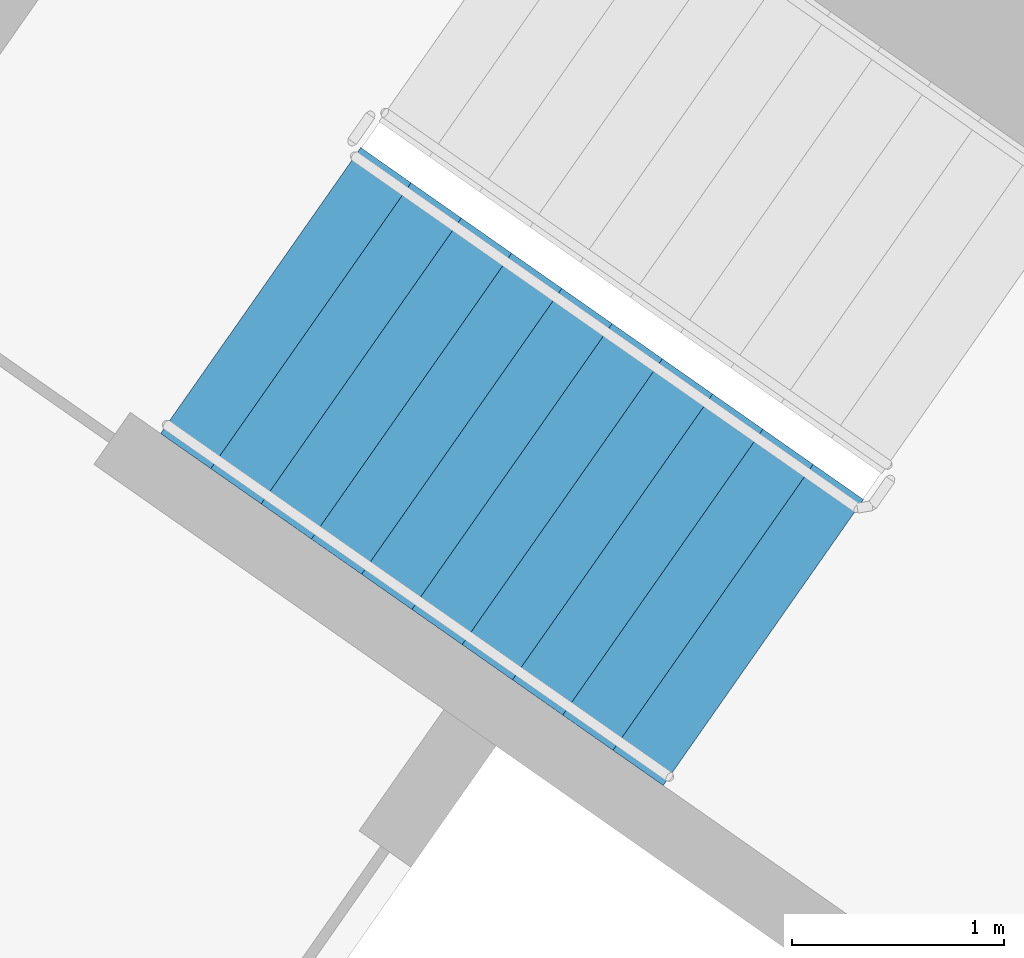
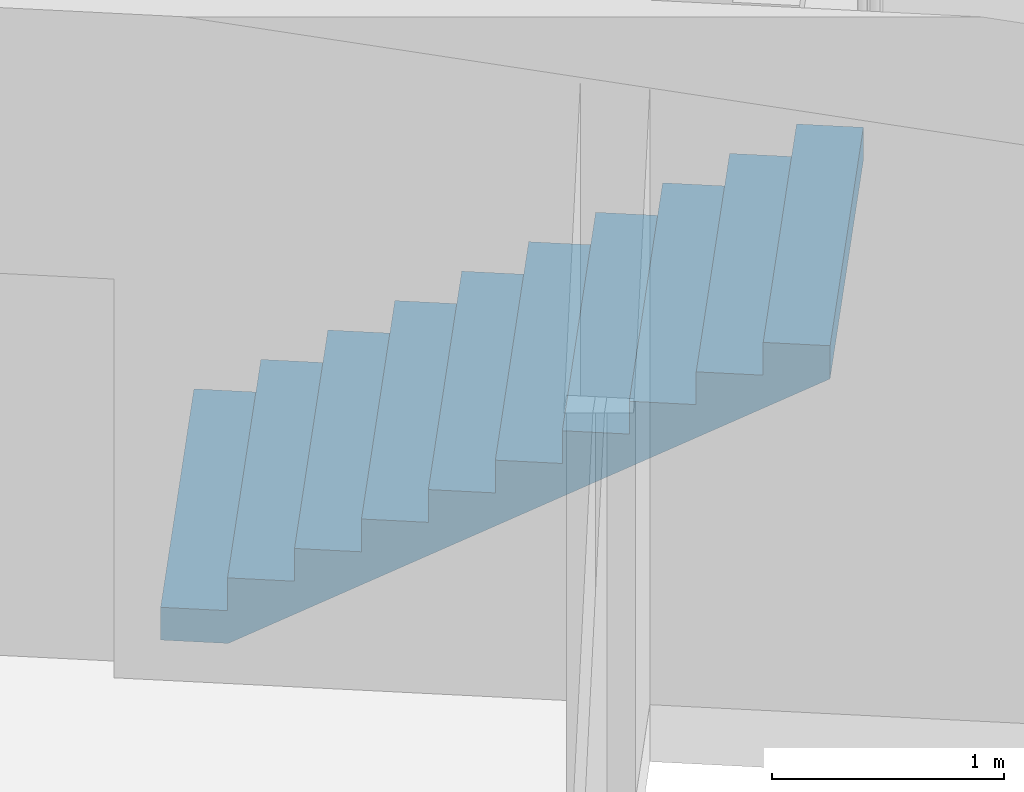
# One storey, part 12 of 28: 1 stair flight, 1 element without a shape of its own.
"""IFC4 building model written with IfcOpenShell, lengths in metres."""

from ifc_helpers import new_model, si_unit, direction, frame, origin, place, context, subcontext, project, spatial, faceted_brep, material, type_object, element, aggregate, save


model = new_model("IFC4")

# Units and contexts
model_context = context("Model", 3, precision=1e-05, world=origin(), true_north=direction((0.0, 1.0)))
body_context = subcontext(model_context, "Body", "Model", "MODEL_VIEW")
ifc_project = project(units=[si_unit("LENGTHUNIT", "METRE"), si_unit("AREAUNIT", "SQUARE_METRE"), si_unit("VOLUMEUNIT", "CUBIC_METRE"), si_unit("PLANEANGLEUNIT", "RADIAN"), si_unit("MASSUNIT", "GRAM", prefix="KILO")], contexts=[model_context])

# Site, building, storey
site_placement = place(None, origin())
site = spatial("IfcSite", under=ifc_project, at=site_placement, CompositionType="ELEMENT")
building_placement = place(site_placement, origin())
building = spatial("IfcBuilding", under=site, at=building_placement, Name="Qamariyya Broadcast Tower", CompositionType="ELEMENT")
storey_placement = place(building_placement, frame((0.0, 0.0, 269.5)))
storey = spatial("IfcBuildingStorey", under=building, at=storey_placement, Name="L65", CompositionType="ELEMENT", Elevation=269.5)

# Stair, stair flight
ifc_material = material(Name="Concrete C50/60", Category="concrete")
stair_type = type_object("IfcStairType", Name="Exit stair 22 risers of 173 mm", PredefinedType="HALF_TURN_STAIR", material=ifc_material)
stair_placement = place(storey_placement, origin())
stair = element("IfcStair", 1, at=stair_placement, inside=storey, type_object=stair_type, Name="L65 Stair W2", PredefinedType="HALF_TURN_STAIR")
stair_flight_type = type_object("IfcStairFlightType", Name="Exit stair flight 11 risers of 173 mm", PredefinedType="STRAIGHT", material=ifc_material)
stair_flight_placement = place(storey_placement, frame((-41.59130859375, -49.15966796875, 0.0), z_axis=(0.0, 0.0, 1.0), x_axis=(0.819152044289, -0.573576436351, 0.0)))
stair_flight = element("IfcStairFlight", 2, at=stair_flight_placement, type_object=stair_flight_type, Name="ST-W2 flight 1", NumberOfRisers=11, NumberOfTreads=10, PredefinedType="STRAIGHT", RiserHeight=0.172727273, TreadLength=0.29, context=body_context, shape_type="Brep", body=[
    faceted_brep([(0.0, 0.824951171875, 0.0), (0.0, 0.824951171875, 0.172607421875), (0.2900390625, 0.824951171875, 0.172607421875), (0.2900390625, 0.824951171875, 0.345458984375), (0.580078125, 0.824951171875, 0.345458984375), (0.580078125, 0.824951171875, 0.51806640625), (0.8701171875, 0.824951171875, 0.51806640625), (0.8701171875, 0.824951171875, 0.69091796875), (1.159912109375, 0.824951171875, 0.69091796875), (1.159912109375, 0.824951171875, 0.863525390625), (1.449951171875, 0.824951171875, 0.863525390625), (1.449951171875, 0.824951171875, 1.036376953125), (1.739990234375, 0.824951171875, 1.036376953125), (1.739990234375, 0.824951171875, 1.208984375), (2.030029296875, 0.824951171875, 1.208984375), (2.030029296875, 0.824951171875, 1.3818359375), (2.320068359375, 0.824951171875, 1.3818359375), (2.320068359375, 0.824951171875, 1.554443359375), (2.610107421875, 0.824951171875, 1.554443359375), (2.610107421875, 0.824951171875, 1.727294921875), (2.89990234375, 0.824951171875, 1.727294921875), (2.89990234375, 0.824951171875, 1.552734375), (0.29296875, 0.824951171875, 0.0), (0.29296875, -0.824951171875, 0.0), (2.89990234375, -0.824951171875, 1.552734375), (2.89990234375, -0.824951171875, 1.727294921875), (2.610107421875, -0.824951171875, 1.727294921875), (2.610107421875, -0.824951171875, 1.554443359375), (2.320068359375, -0.824951171875, 1.554443359375), (2.320068359375, -0.824951171875, 1.3818359375), (2.030029296875, -0.824951171875, 1.3818359375), (2.030029296875, -0.824951171875, 1.208984375), (1.739990234375, -0.824951171875, 1.208984375), (1.739990234375, -0.824951171875, 1.036376953125), (1.449951171875, -0.824951171875, 1.036376953125), (1.449951171875, -0.824951171875, 0.863525390625), (1.159912109375, -0.824951171875, 0.863525390625), (1.159912109375, -0.824951171875, 0.69091796875), (0.8701171875, -0.824951171875, 0.69091796875), (0.8701171875, -0.824951171875, 0.51806640625), (0.580078125, -0.824951171875, 0.51806640625), (0.580078125, -0.824951171875, 0.345458984375), (0.2900390625, -0.824951171875, 0.345458984375), (0.2900390625, -0.824951171875, 0.172607421875), (0.0, -0.824951171875, 0.172607421875), (0.0, -0.824951171875, 0.0), (0.0, 0.10009765625, 0.0), (0.0, 0.086669921875, 0.0), (0.0, 0.0732421875, 0.0), (0.0, 0.06005859375, 0.0), (0.0, 0.046630859375, 0.0), (0.0, 0.033447265625, 0.0), (0.0, 0.02001953125, 0.0), (0.0, 0.006591796875, 0.0), (0.0, -0.006591796875, 0.0), (0.0, -0.02001953125, 0.0), (0.0, -0.033447265625, 0.0), (0.0, -0.046630859375, 0.0), (0.0, -0.06005859375, 0.0), (0.0, -0.0732421875, 0.0), (0.0, -0.086669921875, 0.0), (0.0, -0.10009765625, 0.0), (0.0, -0.10009765625, 0.172607421875), (0.0, -0.086669921875, 0.172607421875), (0.0, -0.0732421875, 0.172607421875), (0.0, -0.06005859375, 0.172607421875), (0.0, -0.046630859375, 0.172607421875), (0.0, -0.033447265625, 0.172607421875), (0.0, -0.02001953125, 0.172607421875), (0.0, -0.006591796875, 0.172607421875), (0.0, 0.006591796875, 0.172607421875), (0.0, 0.02001953125, 0.172607421875), (0.0, 0.033447265625, 0.172607421875), (0.0, 0.046630859375, 0.172607421875), (0.0, 0.06005859375, 0.172607421875), (0.0, 0.0732421875, 0.172607421875), (0.0, 0.086669921875, 0.172607421875), (0.0, 0.10009765625, 0.172607421875), (0.2900390625, -0.10009765625, 0.172607421875), (0.2900390625, -0.086669921875, 0.172607421875), (0.2900390625, -0.0732421875, 0.172607421875), (0.2900390625, -0.06005859375, 0.172607421875), (0.2900390625, -0.046630859375, 0.172607421875), (0.2900390625, -0.033447265625, 0.172607421875), (0.2900390625, -0.02001953125, 0.172607421875), (0.2900390625, -0.006591796875, 0.172607421875), (0.2900390625, 0.006591796875, 0.172607421875), (0.2900390625, 0.02001953125, 0.172607421875), (0.2900390625, 0.033447265625, 0.172607421875), (0.2900390625, 0.046630859375, 0.172607421875), (0.2900390625, 0.06005859375, 0.172607421875), (0.2900390625, 0.0732421875, 0.172607421875), (0.2900390625, 0.086669921875, 0.172607421875), (0.2900390625, 0.10009765625, 0.172607421875), (0.2900390625, -0.10009765625, 0.345458984375), (0.2900390625, -0.086669921875, 0.345458984375), (0.2900390625, -0.0732421875, 0.345458984375), (0.2900390625, -0.06005859375, 0.345458984375), (0.2900390625, -0.046630859375, 0.345458984375), (0.2900390625, -0.033447265625, 0.345458984375), (0.2900390625, -0.02001953125, 0.345458984375), (0.2900390625, -0.006591796875, 0.345458984375), (0.2900390625, 0.006591796875, 0.345458984375), (0.2900390625, 0.02001953125, 0.345458984375), (0.2900390625, 0.033447265625, 0.345458984375), (0.2900390625, 0.046630859375, 0.345458984375), (0.2900390625, 0.06005859375, 0.345458984375), (0.2900390625, 0.0732421875, 0.345458984375), (0.2900390625, 0.086669921875, 0.345458984375), (0.2900390625, 0.10009765625, 0.345458984375), (0.580078125, -0.10009765625, 0.345458984375), (0.580078125, -0.086669921875, 0.345458984375), (0.580078125, -0.0732421875, 0.345458984375), (0.580078125, -0.06005859375, 0.345458984375), (0.580078125, -0.046630859375, 0.345458984375), (0.580078125, -0.033447265625, 0.345458984375), (0.580078125, -0.02001953125, 0.345458984375), (0.580078125, -0.006591796875, 0.345458984375), (0.580078125, 0.006591796875, 0.345458984375), (0.580078125, 0.02001953125, 0.345458984375), (0.580078125, 0.033447265625, 0.345458984375), (0.580078125, 0.046630859375, 0.345458984375), (0.580078125, 0.06005859375, 0.345458984375), (0.580078125, 0.0732421875, 0.345458984375), (0.580078125, 0.086669921875, 0.345458984375), (0.580078125, 0.10009765625, 0.345458984375), (0.580078125, -0.10009765625, 0.51806640625), (0.580078125, -0.086669921875, 0.51806640625), (0.580078125, -0.0732421875, 0.51806640625), (0.580078125, -0.06005859375, 0.51806640625), (0.580078125, -0.046630859375, 0.51806640625), (0.580078125, -0.033447265625, 0.51806640625), (0.580078125, -0.02001953125, 0.51806640625), (0.580078125, -0.006591796875, 0.51806640625), (0.580078125, 0.006591796875, 0.51806640625), (0.580078125, 0.02001953125, 0.51806640625), (0.580078125, 0.033447265625, 0.51806640625), (0.580078125, 0.046630859375, 0.51806640625), (0.580078125, 0.06005859375, 0.51806640625), (0.580078125, 0.0732421875, 0.51806640625), (0.580078125, 0.086669921875, 0.51806640625), (0.580078125, 0.10009765625, 0.51806640625), (0.8701171875, -0.10009765625, 0.51806640625), (0.8701171875, -0.086669921875, 0.51806640625), (0.8701171875, -0.0732421875, 0.51806640625), (0.8701171875, -0.06005859375, 0.51806640625), (0.8701171875, -0.046630859375, 0.51806640625), (0.8701171875, -0.033447265625, 0.51806640625), (0.8701171875, -0.02001953125, 0.51806640625), (0.8701171875, -0.006591796875, 0.51806640625), (0.8701171875, 0.006591796875, 0.51806640625), (0.8701171875, 0.02001953125, 0.51806640625), (0.8701171875, 0.033447265625, 0.51806640625), (0.8701171875, 0.046630859375, 0.51806640625), (0.8701171875, 0.06005859375, 0.51806640625), (0.8701171875, 0.0732421875, 0.51806640625), (0.8701171875, 0.086669921875, 0.51806640625), (0.8701171875, 0.10009765625, 0.51806640625), (0.8701171875, -0.10009765625, 0.69091796875), (0.8701171875, -0.086669921875, 0.69091796875), (0.8701171875, -0.0732421875, 0.69091796875), (0.8701171875, -0.06005859375, 0.69091796875), (0.8701171875, -0.046630859375, 0.69091796875), (0.8701171875, -0.033447265625, 0.69091796875), (0.8701171875, -0.02001953125, 0.69091796875), (0.8701171875, -0.006591796875, 0.69091796875), (0.8701171875, 0.006591796875, 0.69091796875), (0.8701171875, 0.02001953125, 0.69091796875), (0.8701171875, 0.033447265625, 0.69091796875), (0.8701171875, 0.046630859375, 0.69091796875), (0.8701171875, 0.06005859375, 0.69091796875), (0.8701171875, 0.0732421875, 0.69091796875), (0.8701171875, 0.086669921875, 0.69091796875), (0.8701171875, 0.10009765625, 0.69091796875), (1.159912109375, -0.10009765625, 0.69091796875), (1.159912109375, -0.086669921875, 0.69091796875), (1.159912109375, -0.0732421875, 0.69091796875), (1.159912109375, -0.06005859375, 0.69091796875), (1.159912109375, -0.046630859375, 0.69091796875), (1.159912109375, -0.033447265625, 0.69091796875), (1.159912109375, -0.02001953125, 0.69091796875), (1.159912109375, -0.006591796875, 0.69091796875), (1.159912109375, 0.006591796875, 0.69091796875), (1.159912109375, 0.02001953125, 0.69091796875), (1.159912109375, 0.033447265625, 0.69091796875), (1.159912109375, 0.046630859375, 0.69091796875), (1.159912109375, 0.06005859375, 0.69091796875), (1.159912109375, 0.0732421875, 0.69091796875), (1.159912109375, 0.086669921875, 0.69091796875), (1.159912109375, 0.10009765625, 0.69091796875), (1.159912109375, -0.10009765625, 0.863525390625), (1.159912109375, -0.086669921875, 0.863525390625), (1.159912109375, -0.0732421875, 0.863525390625), (1.159912109375, -0.06005859375, 0.863525390625), (1.159912109375, -0.046630859375, 0.863525390625), (1.159912109375, -0.033447265625, 0.863525390625), (1.159912109375, -0.02001953125, 0.863525390625), (1.159912109375, -0.006591796875, 0.863525390625), (1.159912109375, 0.006591796875, 0.863525390625), (1.159912109375, 0.02001953125, 0.863525390625), (1.159912109375, 0.033447265625, 0.863525390625), (1.159912109375, 0.046630859375, 0.863525390625), (1.159912109375, 0.06005859375, 0.863525390625), (1.159912109375, 0.0732421875, 0.863525390625), (1.159912109375, 0.086669921875, 0.863525390625), (1.159912109375, 0.10009765625, 0.863525390625), (1.449951171875, -0.10009765625, 0.863525390625), (1.449951171875, -0.086669921875, 0.863525390625), (1.449951171875, -0.0732421875, 0.863525390625), (1.449951171875, -0.06005859375, 0.863525390625), (1.449951171875, -0.046630859375, 0.863525390625), (1.449951171875, -0.033447265625, 0.863525390625), (1.449951171875, -0.02001953125, 0.863525390625), (1.449951171875, -0.006591796875, 0.863525390625), (1.449951171875, 0.006591796875, 0.863525390625), (1.449951171875, 0.02001953125, 0.863525390625), (1.449951171875, 0.033447265625, 0.863525390625), (1.449951171875, 0.046630859375, 0.863525390625), (1.449951171875, 0.06005859375, 0.863525390625), (1.449951171875, 0.0732421875, 0.863525390625), (1.449951171875, 0.086669921875, 0.863525390625), (1.449951171875, 0.10009765625, 0.863525390625), (1.449951171875, -0.10009765625, 1.036376953125), (1.449951171875, -0.086669921875, 1.036376953125), (1.449951171875, -0.0732421875, 1.036376953125), (1.449951171875, -0.06005859375, 1.036376953125), (1.449951171875, -0.046630859375, 1.036376953125), (1.449951171875, -0.033447265625, 1.036376953125), (1.449951171875, -0.02001953125, 1.036376953125), (1.449951171875, -0.006591796875, 1.036376953125), (1.449951171875, 0.006591796875, 1.036376953125), (1.449951171875, 0.02001953125, 1.036376953125), (1.449951171875, 0.033447265625, 1.036376953125), (1.449951171875, 0.046630859375, 1.036376953125), (1.449951171875, 0.06005859375, 1.036376953125), (1.449951171875, 0.0732421875, 1.036376953125), (1.449951171875, 0.086669921875, 1.036376953125), (1.449951171875, 0.10009765625, 1.036376953125), (1.739990234375, -0.10009765625, 1.036376953125), (1.739990234375, -0.086669921875, 1.036376953125), (1.739990234375, -0.0732421875, 1.036376953125), (1.739990234375, -0.06005859375, 1.036376953125), (1.739990234375, -0.046630859375, 1.036376953125), (1.739990234375, -0.033447265625, 1.036376953125), (1.739990234375, -0.02001953125, 1.036376953125), (1.739990234375, -0.006591796875, 1.036376953125), (1.739990234375, 0.006591796875, 1.036376953125), (1.739990234375, 0.02001953125, 1.036376953125), (1.739990234375, 0.033447265625, 1.036376953125), (1.739990234375, 0.046630859375, 1.036376953125), (1.739990234375, 0.06005859375, 1.036376953125), (1.739990234375, 0.0732421875, 1.036376953125), (1.739990234375, 0.086669921875, 1.036376953125), (1.739990234375, 0.10009765625, 1.036376953125), (1.739990234375, -0.10009765625, 1.208984375), (1.739990234375, -0.086669921875, 1.208984375), (1.739990234375, -0.0732421875, 1.208984375), (1.739990234375, -0.06005859375, 1.208984375), (1.739990234375, -0.046630859375, 1.208984375), (1.739990234375, -0.033447265625, 1.208984375), (1.739990234375, -0.02001953125, 1.208984375), (1.739990234375, -0.006591796875, 1.208984375), (1.739990234375, 0.006591796875, 1.208984375), (1.739990234375, 0.02001953125, 1.208984375), (1.739990234375, 0.033447265625, 1.208984375), (1.739990234375, 0.046630859375, 1.208984375), (1.739990234375, 0.06005859375, 1.208984375), (1.739990234375, 0.0732421875, 1.208984375), (1.739990234375, 0.086669921875, 1.208984375), (1.739990234375, 0.10009765625, 1.208984375), (2.030029296875, -0.10009765625, 1.208984375), (2.030029296875, -0.086669921875, 1.208984375), (2.030029296875, -0.0732421875, 1.208984375), (2.030029296875, -0.06005859375, 1.208984375), (2.030029296875, -0.046630859375, 1.208984375), (2.030029296875, -0.033447265625, 1.208984375), (2.030029296875, -0.02001953125, 1.208984375), (2.030029296875, -0.006591796875, 1.208984375), (2.030029296875, 0.006591796875, 1.208984375), (2.030029296875, 0.02001953125, 1.208984375), (2.030029296875, 0.033447265625, 1.208984375), (2.030029296875, 0.046630859375, 1.208984375), (2.030029296875, 0.06005859375, 1.208984375), (2.030029296875, 0.0732421875, 1.208984375), (2.030029296875, 0.086669921875, 1.208984375), (2.030029296875, 0.10009765625, 1.208984375), (2.030029296875, -0.10009765625, 1.3818359375), (2.030029296875, -0.086669921875, 1.3818359375), (2.030029296875, -0.0732421875, 1.3818359375), (2.030029296875, -0.06005859375, 1.3818359375), (2.030029296875, -0.046630859375, 1.3818359375), (2.030029296875, -0.033447265625, 1.3818359375), (2.030029296875, -0.02001953125, 1.3818359375), (2.030029296875, -0.006591796875, 1.3818359375), (2.030029296875, 0.006591796875, 1.3818359375), (2.030029296875, 0.02001953125, 1.3818359375), (2.030029296875, 0.033447265625, 1.3818359375), (2.030029296875, 0.046630859375, 1.3818359375), (2.030029296875, 0.06005859375, 1.3818359375), (2.030029296875, 0.0732421875, 1.3818359375), (2.030029296875, 0.086669921875, 1.3818359375), (2.030029296875, 0.10009765625, 1.3818359375), (2.320068359375, -0.10009765625, 1.3818359375), (2.320068359375, -0.086669921875, 1.3818359375), (2.320068359375, -0.0732421875, 1.3818359375), (2.320068359375, -0.06005859375, 1.3818359375), (2.320068359375, -0.046630859375, 1.3818359375), (2.320068359375, -0.033447265625, 1.3818359375), (2.320068359375, -0.02001953125, 1.3818359375), (2.320068359375, -0.006591796875, 1.3818359375), (2.320068359375, 0.006591796875, 1.3818359375), (2.320068359375, 0.02001953125, 1.3818359375), (2.320068359375, 0.033447265625, 1.3818359375), (2.320068359375, 0.046630859375, 1.3818359375), (2.320068359375, 0.06005859375, 1.3818359375), (2.320068359375, 0.0732421875, 1.3818359375), (2.320068359375, 0.086669921875, 1.3818359375), (2.320068359375, 0.10009765625, 1.3818359375), (2.320068359375, -0.10009765625, 1.554443359375), (2.320068359375, -0.086669921875, 1.554443359375), (2.320068359375, -0.0732421875, 1.554443359375), (2.320068359375, -0.06005859375, 1.554443359375), (2.320068359375, -0.046630859375, 1.554443359375), (2.320068359375, -0.033447265625, 1.554443359375), (2.320068359375, -0.02001953125, 1.554443359375), (2.320068359375, -0.006591796875, 1.554443359375), (2.320068359375, 0.006591796875, 1.554443359375), (2.320068359375, 0.02001953125, 1.554443359375), (2.320068359375, 0.033447265625, 1.554443359375), (2.320068359375, 0.046630859375, 1.554443359375), (2.320068359375, 0.06005859375, 1.554443359375), (2.320068359375, 0.0732421875, 1.554443359375), (2.320068359375, 0.086669921875, 1.554443359375), (2.320068359375, 0.10009765625, 1.554443359375), (2.610107421875, -0.10009765625, 1.554443359375), (2.610107421875, -0.086669921875, 1.554443359375), (2.610107421875, -0.0732421875, 1.554443359375), (2.610107421875, -0.06005859375, 1.554443359375), (2.610107421875, -0.046630859375, 1.554443359375), (2.610107421875, -0.033447265625, 1.554443359375), (2.610107421875, -0.02001953125, 1.554443359375), (2.610107421875, -0.006591796875, 1.554443359375), (2.610107421875, 0.006591796875, 1.554443359375), (2.610107421875, 0.02001953125, 1.554443359375), (2.610107421875, 0.033447265625, 1.554443359375), (2.610107421875, 0.046630859375, 1.554443359375), (2.610107421875, 0.06005859375, 1.554443359375), (2.610107421875, 0.0732421875, 1.554443359375), (2.610107421875, 0.086669921875, 1.554443359375), (2.610107421875, 0.10009765625, 1.554443359375), (2.610107421875, -0.10009765625, 1.727294921875), (2.610107421875, -0.086669921875, 1.727294921875), (2.610107421875, -0.0732421875, 1.727294921875), (2.610107421875, -0.06005859375, 1.727294921875), (2.610107421875, -0.046630859375, 1.727294921875), (2.610107421875, -0.033447265625, 1.727294921875), (2.610107421875, -0.02001953125, 1.727294921875), (2.610107421875, -0.006591796875, 1.727294921875), (2.610107421875, 0.006591796875, 1.727294921875), (2.610107421875, 0.02001953125, 1.727294921875), (2.610107421875, 0.033447265625, 1.727294921875), (2.610107421875, 0.046630859375, 1.727294921875), (2.610107421875, 0.06005859375, 1.727294921875), (2.610107421875, 0.0732421875, 1.727294921875), (2.610107421875, 0.086669921875, 1.727294921875), (2.610107421875, 0.10009765625, 1.727294921875), (2.89990234375, -0.10009765625, 1.727294921875), (2.89990234375, -0.086669921875, 1.727294921875), (2.89990234375, -0.0732421875, 1.727294921875), (2.89990234375, -0.06005859375, 1.727294921875), (2.89990234375, -0.046630859375, 1.727294921875), (2.89990234375, -0.033447265625, 1.727294921875), (2.89990234375, -0.02001953125, 1.727294921875), (2.89990234375, -0.006591796875, 1.727294921875), (2.89990234375, 0.006591796875, 1.727294921875), (2.89990234375, 0.02001953125, 1.727294921875), (2.89990234375, 0.033447265625, 1.727294921875), (2.89990234375, 0.046630859375, 1.727294921875), (2.89990234375, 0.06005859375, 1.727294921875), (2.89990234375, 0.0732421875, 1.727294921875), (2.89990234375, 0.086669921875, 1.727294921875), (2.89990234375, 0.10009765625, 1.727294921875), (2.89990234375, -0.10009765625, 1.552734375), (2.89990234375, -0.086669921875, 1.552734375), (2.89990234375, -0.0732421875, 1.552734375), (2.89990234375, -0.06005859375, 1.552734375), (2.89990234375, -0.046630859375, 1.552734375), (2.89990234375, -0.033447265625, 1.552734375), (2.89990234375, -0.02001953125, 1.552734375), (2.89990234375, -0.006591796875, 1.552734375), (2.89990234375, 0.006591796875, 1.552734375), (2.89990234375, 0.02001953125, 1.552734375), (2.89990234375, 0.033447265625, 1.552734375), (2.89990234375, 0.046630859375, 1.552734375), (2.89990234375, 0.06005859375, 1.552734375), (2.89990234375, 0.0732421875, 1.552734375), (2.89990234375, 0.086669921875, 1.552734375), (2.89990234375, 0.10009765625, 1.552734375), (0.29296875, -0.10009765625, 0.0), (0.29296875, -0.086669921875, 0.0), (0.29296875, -0.0732421875, 0.0), (0.29296875, -0.06005859375, 0.0), (0.29296875, -0.046630859375, 0.0), (0.29296875, -0.033447265625, 0.0), (0.29296875, -0.02001953125, 0.0), (0.29296875, -0.006591796875, 0.0), (0.29296875, 0.006591796875, 0.0), (0.29296875, 0.02001953125, 0.0), (0.29296875, 0.033447265625, 0.0), (0.29296875, 0.046630859375, 0.0), (0.29296875, 0.06005859375, 0.0), (0.29296875, 0.0732421875, 0.0), (0.29296875, 0.086669921875, 0.0), (0.29296875, 0.10009765625, 0.0)], [[[0, 1, 2, 3, 4, 5, 6, 7, 8, 9, 10, 11, 12, 13, 14, 15, 16, 17, 18, 19, 20, 21, 22]], [[23, 24, 25, 26, 27, 28, 29, 30, 31, 32, 33, 34, 35, 36, 37, 38, 39, 40, 41, 42, 43, 44, 45]], [[0, 46, 47, 48, 49, 50, 51, 52, 53, 54, 55, 56, 57, 58, 59, 60, 61, 45, 44, 62, 63, 64, 65, 66, 67, 68, 69, 70, 71, 72, 73, 74, 75, 76, 77, 1]], [[1, 77, 76, 75, 74, 73, 72, 71, 70, 69, 68, 67, 66, 65, 64, 63, 62, 44, 43, 78, 79, 80, 81, 82, 83, 84, 85, 86, 87, 88, 89, 90, 91, 92, 93, 2]], [[2, 93, 92, 91, 90, 89, 88, 87, 86, 85, 84, 83, 82, 81, 80, 79, 78, 43, 42, 94, 95, 96, 97, 98, 99, 100, 101, 102, 103, 104, 105, 106, 107, 108, 109, 3]], [[3, 109, 108, 107, 106, 105, 104, 103, 102, 101, 100, 99, 98, 97, 96, 95, 94, 42, 41, 110, 111, 112, 113, 114, 115, 116, 117, 118, 119, 120, 121, 122, 123, 124, 125, 4]], [[4, 125, 124, 123, 122, 121, 120, 119, 118, 117, 116, 115, 114, 113, 112, 111, 110, 41, 40, 126, 127, 128, 129, 130, 131, 132, 133, 134, 135, 136, 137, 138, 139, 140, 141, 5]], [[5, 141, 140, 139, 138, 137, 136, 135, 134, 133, 132, 131, 130, 129, 128, 127, 126, 40, 39, 142, 143, 144, 145, 146, 147, 148, 149, 150, 151, 152, 153, 154, 155, 156, 157, 6]], [[6, 157, 156, 155, 154, 153, 152, 151, 150, 149, 148, 147, 146, 145, 144, 143, 142, 39, 38, 158, 159, 160, 161, 162, 163, 164, 165, 166, 167, 168, 169, 170, 171, 172, 173, 7]], [[7, 173, 172, 171, 170, 169, 168, 167, 166, 165, 164, 163, 162, 161, 160, 159, 158, 38, 37, 174, 175, 176, 177, 178, 179, 180, 181, 182, 183, 184, 185, 186, 187, 188, 189, 8]], [[8, 189, 188, 187, 186, 185, 184, 183, 182, 181, 180, 179, 178, 177, 176, 175, 174, 37, 36, 190, 191, 192, 193, 194, 195, 196, 197, 198, 199, 200, 201, 202, 203, 204, 205, 9]], [[9, 205, 204, 203, 202, 201, 200, 199, 198, 197, 196, 195, 194, 193, 192, 191, 190, 36, 35, 206, 207, 208, 209, 210, 211, 212, 213, 214, 215, 216, 217, 218, 219, 220, 221, 10]], [[10, 221, 220, 219, 218, 217, 216, 215, 214, 213, 212, 211, 210, 209, 208, 207, 206, 35, 34, 222, 223, 224, 225, 226, 227, 228, 229, 230, 231, 232, 233, 234, 235, 236, 237, 11]], [[11, 237, 236, 235, 234, 233, 232, 231, 230, 229, 228, 227, 226, 225, 224, 223, 222, 34, 33, 238, 239, 240, 241, 242, 243, 244, 245, 246, 247, 248, 249, 250, 251, 252, 253, 12]], [[12, 253, 252, 251, 250, 249, 248, 247, 246, 245, 244, 243, 242, 241, 240, 239, 238, 33, 32, 254, 255, 256, 257, 258, 259, 260, 261, 262, 263, 264, 265, 266, 267, 268, 269, 13]], [[13, 269, 268, 267, 266, 265, 264, 263, 262, 261, 260, 259, 258, 257, 256, 255, 254, 32, 31, 270, 271, 272, 273, 274, 275, 276, 277, 278, 279, 280, 281, 282, 283, 284, 285, 14]], [[14, 285, 284, 283, 282, 281, 280, 279, 278, 277, 276, 275, 274, 273, 272, 271, 270, 31, 30, 286, 287, 288, 289, 290, 291, 292, 293, 294, 295, 296, 297, 298, 299, 300, 301, 15]], [[15, 301, 300, 299, 298, 297, 296, 295, 294, 293, 292, 291, 290, 289, 288, 287, 286, 30, 29, 302, 303, 304, 305, 306, 307, 308, 309, 310, 311, 312, 313, 314, 315, 316, 317, 16]], [[16, 317, 316, 315, 314, 313, 312, 311, 310, 309, 308, 307, 306, 305, 304, 303, 302, 29, 28, 318, 319, 320, 321, 322, 323, 324, 325, 326, 327, 328, 329, 330, 331, 332, 333, 17]], [[17, 333, 332, 331, 330, 329, 328, 327, 326, 325, 324, 323, 322, 321, 320, 319, 318, 28, 27, 334, 335, 336, 337, 338, 339, 340, 341, 342, 343, 344, 345, 346, 347, 348, 349, 18]], [[18, 349, 348, 347, 346, 345, 344, 343, 342, 341, 340, 339, 338, 337, 336, 335, 334, 27, 26, 350, 351, 352, 353, 354, 355, 356, 357, 358, 359, 360, 361, 362, 363, 364, 365, 19]], [[19, 365, 364, 363, 362, 361, 360, 359, 358, 357, 356, 355, 354, 353, 352, 351, 350, 26, 25, 366, 367, 368, 369, 370, 371, 372, 373, 374, 375, 376, 377, 378, 379, 380, 381, 20]], [[20, 381, 380, 379, 378, 377, 376, 375, 374, 373, 372, 371, 370, 369, 368, 367, 366, 25, 24, 382, 383, 384, 385, 386, 387, 388, 389, 390, 391, 392, 393, 394, 395, 396, 397, 21]], [[21, 397, 396, 395, 394, 393, 392, 391, 390, 389, 388, 387, 386, 385, 384, 383, 382, 24, 23, 398, 399, 400, 401, 402, 403, 404, 405, 406, 407, 408, 409, 410, 411, 412, 413, 22]], [[22, 413, 412, 411, 410, 409, 408, 407, 406, 405, 404, 403, 402, 401, 400, 399, 398, 23, 45, 61, 60, 59, 58, 57, 56, 55, 54, 53, 52, 51, 50, 49, 48, 47, 46, 0]]]),
])
aggregate(stair, [stair_flight])

save(model, "model.ifc")
